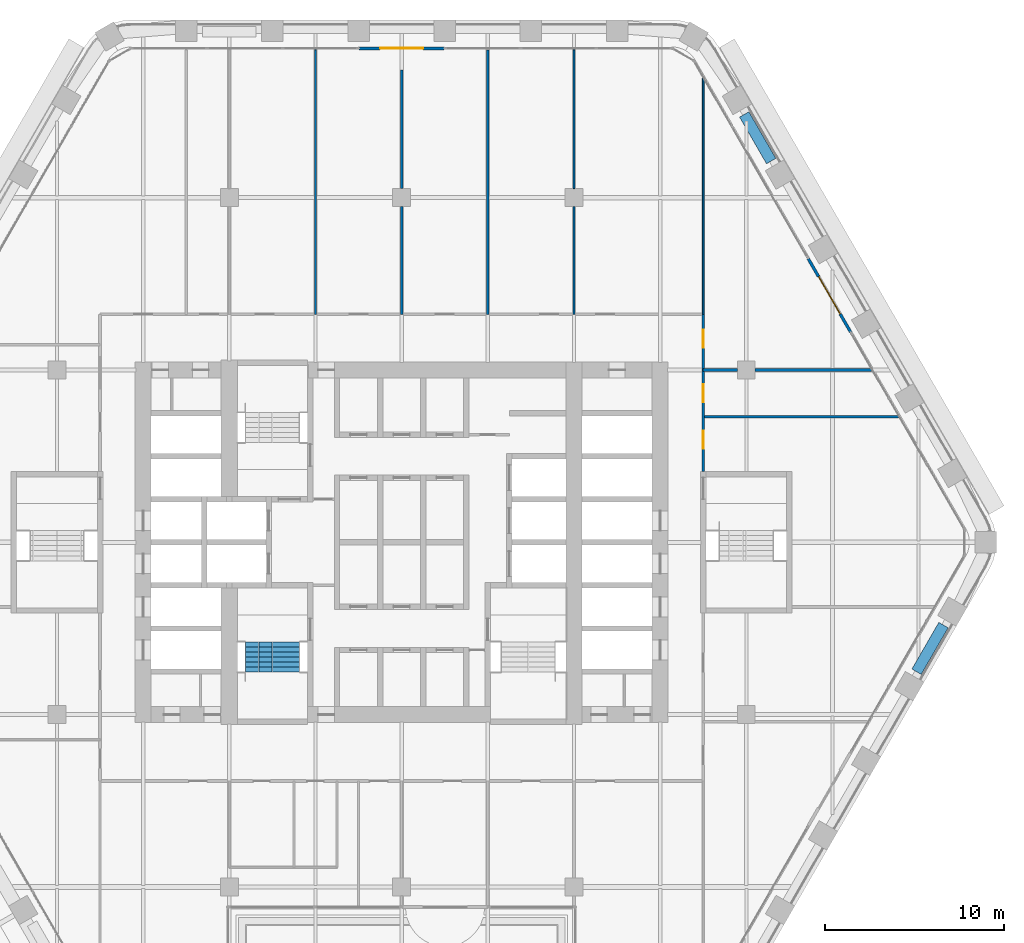
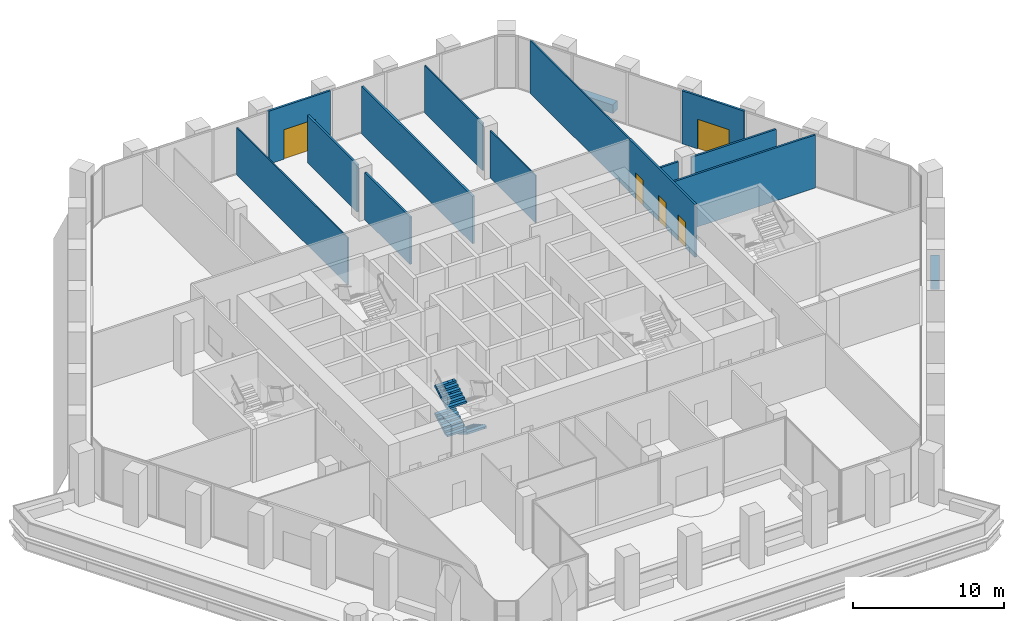
# One storey, part 20 of 27: 15 walls, 5 doors, 3 stair flights, 5 openings, 1 element without a shape of its own.
"""IFC4 building model written with IfcOpenShell, lengths in metres."""

from ifc_helpers import new_model, si_unit, direction, frame, frame_2d, origin, place, context, subcontext, project, spatial, polyline, rectangle, outline, extrude, material, layer, layer_set, type_object, element, fill, aggregate, save


model = new_model("IFC4")

# Units and contexts
model_context = context("Model", 3, precision=1e-05, world=origin(), true_north=direction((0.0, 1.0)))
body_context = subcontext(model_context, "Body", "Model", "MODEL_VIEW")
ifc_project = project(units=[si_unit("LENGTHUNIT", "METRE"), si_unit("AREAUNIT", "SQUARE_METRE"), si_unit("VOLUMEUNIT", "CUBIC_METRE"), si_unit("PLANEANGLEUNIT", "RADIAN"), si_unit("MASSUNIT", "GRAM", prefix="KILO")], contexts=[model_context])

# Site, building, storey
site_placement = place(None, origin())
site = spatial("IfcSite", under=ifc_project, at=site_placement, CompositionType="ELEMENT")
building_placement = place(site_placement, origin())
building = spatial("IfcBuilding", under=site, at=building_placement, Name="Kolab Exchange Tower", CompositionType="ELEMENT")
storey_placement = place(building_placement, frame((0.0, 0.0, 109.39990234375)))
storey = spatial("IfcBuildingStorey", under=building, at=storey_placement, Name="L21", CompositionType="ELEMENT", Elevation=109.39990234375)

# Wall, opening, door
ifc_material_1 = material(Name="Aluminium EN AW-6063 T6", Category="aluminium")
ifc_layer_1 = layer(ifc_material_1, 0.159912109375)
ifc_layer_set_1 = layer_set([ifc_layer_1], Name="Aluminium EN AW-6063 T6")
wall_type_1 = type_object("IfcWallType", Name="DOOR SURROUND WALL 160 ALUMINIUM FRAMED", PredefinedType="PARTITIONING", material=ifc_layer_set_1)
wall_1_placement = place(storey_placement, frame((-2.3701171875, 27.5185546875, 0.0), z_axis=(0.0, 0.0, 1.0), x_axis=(1.0, 0.0, 0.0)))
wall_1 = element("IfcWall", 1, at=wall_1_placement, inside=storey, type_object=wall_type_1, Name="Door surround wall", PredefinedType="PARTITIONING", context=body_context, shape_type="SweptSolid", body=[
    extrude(rectangle(XDim=4.740234375, YDim=0.159912109375, at=frame_2d((2.3701171875, 0.0))), origin(), (0.0, 0.0, 1.0), 4.300048828125),
])
opening_1_placement = place(wall_1_placement, frame((1.169921875, 0.0, 0.0)))
opening_1 = element("IfcOpeningElement", 2, at=opening_1_placement, cuts=wall_1, Name="Opening GD1-034", PredefinedType="OPENING", context=body_context, shape_type="SweptSolid", body=[
    extrude(rectangle(XDim=2.39990234375, YDim=2.39990234375, at=frame_2d((1.199951171875, 1.199951171875))), frame((0.0, 0.08984375, 0.0), z_axis=(0.0, -1.0, 0.0), x_axis=(1.0, 0.0, 0.0)), (0.0, 0.0, 1.0), 0.179931640625),
])
door_type_1 = type_object("IfcDoorType", Name="LOGGIA SLIDING GLASS DOOR 2400 X 2400", OperationType="DOUBLE_DOOR_SINGLE_SWING", PredefinedType="DOOR", material=ifc_material_1)
door_1_placement = place(opening_1_placement, origin())
door_1 = element("IfcDoor", 3, at=door_1_placement, inside=storey, type_object=door_type_1, Name="Loggia door", OperationType="DOUBLE_DOOR_SLIDING", OverallHeight=2.39990234375, OverallWidth=2.39990234375, PredefinedType="DOOR", context=body_context, shape_type="SweptSolid", body=[
    extrude(rectangle(XDim=2.39990234375, YDim=2.39990234375, at=frame_2d((1.199951171875, 1.199951171875))), frame((0.0, 0.02490234375, 0.0), z_axis=(0.0, -1.0, 0.0), x_axis=(1.0, 0.0, 0.0)), (0.0, 0.0, 1.0), 0.050048828125),
])
fill(opening_1, door_1)

wall_2_placement = place(storey_placement, frame((22.646728515625, 15.811767578125, 0.0), z_axis=(0.0, 0.0, 1.0), x_axis=(0.499978080042, -0.866038058908, 0.0)))
wall_2 = element("IfcWall", 4, at=wall_2_placement, inside=storey, type_object=wall_type_1, Name="Door surround wall", PredefinedType="PARTITIONING", context=body_context, shape_type="SweptSolid", body=[
    extrude(rectangle(XDim=4.739990234375, YDim=0.159912109375, at=frame_2d((2.3701171875, 0.0))), origin(), (0.0, 0.0, 1.0), 4.300048828125),
])
opening_2_placement = place(wall_2_placement, frame((1.169921875, 0.0, 0.0)))
opening_2 = element("IfcOpeningElement", 5, at=opening_2_placement, cuts=wall_2, Name="Opening GD1-035", PredefinedType="OPENING", context=body_context, shape_type="SweptSolid", body=[
    extrude(rectangle(XDim=2.39990234375, YDim=2.39990234375, at=frame_2d((1.199951171875, 1.199951171875))), frame((0.0, 0.08984375, 0.0), z_axis=(0.0, -1.0, 0.0), x_axis=(1.0, 0.0, 0.0)), (0.0, 0.0, 1.0), 0.179931640625),
])
door_2_placement = place(opening_2_placement, origin())
door_2 = element("IfcDoor", 6, at=door_2_placement, inside=storey, type_object=door_type_1, Name="Loggia door", OperationType="DOUBLE_DOOR_SLIDING", OverallHeight=2.39990234375, OverallWidth=2.39990234375, PredefinedType="DOOR", context=body_context, shape_type="SweptSolid", body=[
    extrude(rectangle(XDim=2.39990234375, YDim=2.39990234375, at=frame_2d((1.199951171875, 1.199951171875))), frame((0.0, 0.02490234375, 0.0), z_axis=(0.0, -1.0, 0.0), x_axis=(1.0, 0.0, 0.0)), (0.0, 0.0, 1.0), 0.050048828125),
])
fill(opening_2, door_2)

# Walls
ifc_material_2 = material(Name="Gypsum board", Category="gypsum")
ifc_layer_2 = layer(ifc_material_2, 0.10009765625)
ifc_layer_set_2 = layer_set([ifc_layer_2], Name="Gypsum board")
wall_type_2 = type_object("IfcWallType", Name="PARTITION 100", PredefinedType="PARTITIONING", material=ifc_layer_set_2)
wall_3_placement = place(storey_placement, frame((16.800048828125, 12.699951171875, 0.0), z_axis=(0.0, 0.0, 1.0), x_axis=(0.0, 1.0, 0.0)))
element("IfcWall", 7, at=wall_3_placement, inside=storey, type_object=wall_type_2, Name="Partition 001", PredefinedType="PARTITIONING", context=body_context, shape_type="SweptSolid", body=[
    extrude(rectangle(XDim=13.158447265625, YDim=0.10009765625, at=frame_2d((6.5791015625, 0.0))), origin(), (0.0, 0.0, 1.0), 4.300048828125),
])
wall_4_placement = place(storey_placement, frame((9.60009765625, 12.699951171875, 0.0), z_axis=(0.0, 0.0, 1.0), x_axis=(0.0, 1.0, 0.0)))
element("IfcWall", 8, at=wall_4_placement, inside=storey, type_object=wall_type_2, Name="Partition 005", PredefinedType="PARTITIONING", context=body_context, shape_type="SweptSolid", body=[
    extrude(rectangle(XDim=6.0, YDim=0.10009765625, at=frame_2d((3.0, 0.0))), origin(), (0.0, 0.0, 1.0), 3.843017578125),
])
wall_5_placement = place(storey_placement, frame((9.60009765625, 19.699951171875, 0.0), z_axis=(0.0, 0.0, 1.0), x_axis=(0.0, 1.0, 0.0)))
element("IfcWall", 9, at=wall_5_placement, inside=storey, type_object=wall_type_2, Name="Partition 006", PredefinedType="PARTITIONING", context=body_context, shape_type="SweptSolid", body=[
    extrude(rectangle(XDim=7.728515625, YDim=0.10009765625, at=frame_2d((3.8642578125, 0.0))), origin(), (0.0, 0.0, 1.0), 3.843017578125),
])
wall_6_placement = place(storey_placement, frame((-4.800048828125, 12.699951171875, 0.0), z_axis=(0.0, 0.0, 1.0), x_axis=(0.0, 1.0, 0.0)))
element("IfcWall", 10, at=wall_6_placement, inside=storey, type_object=wall_type_2, Name="Partition 017", PredefinedType="PARTITIONING", context=body_context, shape_type="SweptSolid", body=[
    extrude(rectangle(XDim=14.728515625, YDim=0.10009765625, at=frame_2d((7.3642578125, 0.0))), origin(), (0.0, 0.0, 1.0), 3.843017578125),
])

# Wall, openings, doors
ifc_layer_3 = layer(ifc_material_2, 0.14990234375)
ifc_layer_set_3 = layer_set([ifc_layer_3], Name="Gypsum board")
wall_type_3 = type_object("IfcWallType", Name="PARTITION 150 FIRE-RATED", PredefinedType="PARTITIONING", material=ifc_layer_set_3)
wall_7_placement = place(storey_placement, frame((16.800048828125, 3.949951171875, 0.0), z_axis=(0.0, 0.0, 1.0), x_axis=(0.0, 1.0, 0.0)))
wall_7 = element("IfcWall", 11, at=wall_7_placement, inside=storey, type_object=wall_type_3, Name="Partition 003", PredefinedType="PARTITIONING", context=body_context, shape_type="SweptSolid", body=[
    extrude(rectangle(XDim=8.75, YDim=0.14990234375, at=frame_2d((4.375, 0.0))), origin(), (0.0, 0.0, 1.0), 4.300048828125),
])
opening_3_placement = place(wall_7_placement, frame((1.27490234375, 0.0, 0.0)))
opening_3 = element("IfcOpeningElement", 12, at=opening_3_placement, cuts=wall_7, Name="Opening D1-294", PredefinedType="OPENING", context=body_context, shape_type="SweptSolid", body=[
    extrude(rectangle(XDim=1.0, YDim=2.10009765625, at=frame_2d((0.5, 1.050048828125))), frame((0.0, 0.0849609375, 0.0), z_axis=(0.0, -1.0, 0.0), x_axis=(1.0, 0.0, 0.0)), (0.0, 0.0, 1.0), 0.169921875),
])
opening_4_placement = place(wall_7_placement, frame((3.85009765625, 0.0, 0.0)))
opening_4 = element("IfcOpeningElement", 13, at=opening_4_placement, cuts=wall_7, Name="Opening D1-295", PredefinedType="OPENING", context=body_context, shape_type="SweptSolid", body=[
    extrude(rectangle(XDim=1.0, YDim=2.10009765625, at=frame_2d((0.5, 1.050048828125))), frame((0.0, 0.0849609375, 0.0), z_axis=(0.0, -1.0, 0.0), x_axis=(1.0, 0.0, 0.0)), (0.0, 0.0, 1.0), 0.169921875),
])
opening_5_placement = place(wall_7_placement, frame((6.89990234375, 0.0, 0.0)))
opening_5 = element("IfcOpeningElement", 14, at=opening_5_placement, cuts=wall_7, Name="Opening D1-296", PredefinedType="OPENING", context=body_context, shape_type="SweptSolid", body=[
    extrude(rectangle(XDim=1.0, YDim=2.10009765625, at=frame_2d((0.5, 1.050048828125))), frame((0.0, 0.0849609375, 0.0), z_axis=(0.0, -1.0, 0.0), x_axis=(1.0, 0.0, 0.0)), (0.0, 0.0, 1.0), 0.169921875),
])
ifc_material_3 = material(Name="Steel S235", Category="steel")
door_type_2 = type_object("IfcDoorType", Name="FLUSH DOOR 1000 FD60", OperationType="SINGLE_SWING_LEFT", PredefinedType="DOOR", material=ifc_material_3)
door_3_placement = place(opening_3_placement, frame((1.0, 0.0, 0.0), z_axis=(0.0, 0.0, 1.0), x_axis=(-1.0, 0.0, 0.0)))
door_3 = element("IfcDoor", 15, at=door_3_placement, inside=storey, type_object=door_type_2, Name="Door L21-063", OperationType="SINGLE_SWING_RIGHT", OverallHeight=2.10009765625, OverallWidth=1.0, PredefinedType="DOOR", context=body_context, shape_type="SweptSolid", body=[
    extrude(rectangle(XDim=1.0, YDim=2.10009765625, at=frame_2d((0.5, 1.050048828125))), frame((0.0, 0.02490234375, 0.0), z_axis=(0.0, -1.0, 0.0), x_axis=(1.0, 0.0, 0.0)), (0.0, 0.0, 1.0), 0.050048828125),
])
fill(opening_3, door_3)
door_4_placement = place(opening_4_placement, frame((1.0, 0.0, 0.0), z_axis=(0.0, 0.0, 1.0), x_axis=(-1.0, 0.0, 0.0)))
door_4 = element("IfcDoor", 16, at=door_4_placement, inside=storey, type_object=door_type_2, Name="Door L21-064", OperationType="SINGLE_SWING_RIGHT", OverallHeight=2.10009765625, OverallWidth=1.0, PredefinedType="DOOR", context=body_context, shape_type="SweptSolid", body=[
    extrude(rectangle(XDim=1.0, YDim=2.10009765625, at=frame_2d((0.5, 1.050048828125))), frame((0.0, 0.02490234375, 0.0), z_axis=(0.0, -1.0, 0.0), x_axis=(1.0, 0.0, 0.0)), (0.0, 0.0, 1.0), 0.050048828125),
])
fill(opening_4, door_4)
door_5_placement = place(opening_5_placement, frame((1.0, 0.0, 0.0), z_axis=(0.0, 0.0, 1.0), x_axis=(-1.0, 0.0, 0.0)))
door_5 = element("IfcDoor", 17, at=door_5_placement, inside=storey, type_object=door_type_2, Name="Door L21-065", OperationType="SINGLE_SWING_LEFT", OverallHeight=2.10009765625, OverallWidth=1.0, PredefinedType="DOOR", context=body_context, shape_type="SweptSolid", body=[
    extrude(rectangle(XDim=1.0, YDim=2.10009765625, at=frame_2d((0.5, 1.050048828125))), frame((0.0, 0.02490234375, 0.0), z_axis=(0.0, -1.0, 0.0), x_axis=(1.0, 0.0, 0.0)), (0.0, 0.0, 1.0), 0.050048828125),
])
fill(opening_5, door_5)

# Walls
wall_8_placement = place(storey_placement, frame((4.800048828125, 12.699951171875, 0.0), z_axis=(0.0, 0.0, 1.0), x_axis=(0.0, 1.0, 0.0)))
element("IfcWall", 18, at=wall_8_placement, inside=storey, type_object=wall_type_3, Name="Partition 010", PredefinedType="PARTITIONING", context=body_context, shape_type="SweptSolid", body=[
    extrude(rectangle(XDim=14.728515625, YDim=0.14990234375, at=frame_2d((7.3642578125, 0.0))), origin(), (0.0, 0.0, 1.0), 3.843017578125),
])
wall_9_placement = place(storey_placement, frame((0.0, 12.699951171875, 0.0), z_axis=(0.0, 0.0, 1.0), x_axis=(0.0, 1.0, 0.0)))
element("IfcWall", 19, at=wall_9_placement, inside=storey, type_object=wall_type_3, Name="Partition 013", PredefinedType="PARTITIONING", context=body_context, shape_type="SweptSolid", body=[
    extrude(rectangle(XDim=6.0, YDim=0.14990234375, at=frame_2d((3.0, 0.0))), origin(), (0.0, 0.0, 1.0), 3.843017578125),
])
wall_10_placement = place(storey_placement, frame((0.0, 19.699951171875, 0.0), z_axis=(0.0, 0.0, 1.0), x_axis=(0.0, 1.0, 0.0)))
element("IfcWall", 20, at=wall_10_placement, inside=storey, type_object=wall_type_3, Name="Partition 014", PredefinedType="PARTITIONING", context=body_context, shape_type="SweptSolid", body=[
    extrude(rectangle(XDim=6.61865234375, YDim=0.14990234375, at=frame_2d((3.309326171875, 0.0))), origin(), (0.0, 0.0, 1.0), 3.843017578125),
])
wall_11_placement = place(storey_placement, frame((16.800048828125, 7.0, 0.0), z_axis=(0.0, 0.0, 1.0), x_axis=(1.0, 0.0, 0.0)))
element("IfcWall", 21, at=wall_11_placement, inside=storey, type_object=wall_type_3, Name="Partition 037", PredefinedType="PARTITIONING", context=body_context, shape_type="SweptSolid", body=[
    extrude(rectangle(XDim=10.887939453125, YDim=0.14990234375, at=frame_2d((5.44384765625, 0.0))), origin(), (0.0, 0.0, 1.0), 4.300048828125),
])
wall_12_placement = place(storey_placement, frame((16.800048828125, 9.60009765625, 0.0), z_axis=(0.0, 0.0, 1.0), x_axis=(1.0, 0.0, 0.0)))
element("IfcWall", 22, at=wall_12_placement, inside=storey, type_object=wall_type_3, Name="Partition 038", PredefinedType="PARTITIONING", context=body_context, shape_type="SweptSolid", body=[
    extrude(rectangle(XDim=1.89990234375, YDim=0.14990234375, at=frame_2d((0.949951171875, 0.0))), origin(), (0.0, 0.0, 1.0), 3.692138671875),
])
wall_13_placement = place(storey_placement, frame((19.699951171875, 9.60009765625, 0.0), z_axis=(0.0, 0.0, 1.0), x_axis=(1.0, 0.0, 0.0)))
element("IfcWall", 23, at=wall_13_placement, inside=storey, type_object=wall_type_3, Name="Partition 039", PredefinedType="PARTITIONING", context=body_context, shape_type="SweptSolid", body=[
    extrude(rectangle(XDim=6.48681640625, YDim=0.14990234375, at=frame_2d((3.243408203125, 0.0))), origin(), (0.0, 0.0, 1.0), 3.692138671875),
])
ifc_material_4 = material(Name="Granite facing", Category="masonry")
ifc_layer_4 = layer(ifc_material_4, 0.0400390625)
ifc_material_5 = material(Name="Concrete C40/50 precast", Category="concrete")
ifc_layer_5 = layer(ifc_material_5, 0.56005859375)
ifc_layer_set_4 = layer_set([ifc_layer_4, ifc_layer_5], Name="Concrete C40/50 precast")
wall_type_4 = type_object("IfcWallType", Name="PLANTER BOX 600 X 700 SOIL DEPTH 550", PredefinedType="USERDEFINED", material=ifc_layer_set_4)
for number, where, z_axis, x_axis, name in (
    (24, (19.087158203125, 23.837158203125, 0.0), (0.0, 0.0, 1.0), (0.499990139034, -0.866031096941, 0.0), "Planter"),
    (25, (30.18701171875, -4.611328125, 0.0), (0.0, 0.0, 1.0), (-0.499990139034, -0.866031096941, 0.0), "Planter"),
):
    element("IfcWall", number, at=place(storey_placement, frame(where, z_axis=z_axis, x_axis=x_axis)), inside=storey, type_object=wall_type_4, Name=name, ObjectType="PLANTER", PredefinedType="USERDEFINED", context=body_context, shape_type="SweptSolid", body=[
        extrude(rectangle(XDim=3.0, YDim=0.60009765625, at=frame_2d((1.5, 0.0))), origin(), (0.0, 0.0, 1.0), 0.7001953125),
    ])

# Stair, stair flights
ifc_material_6 = material(Name="Concrete C50/60", Category="concrete")
stair_type = type_object("IfcStairType", Name="STAIR ST3 RISER 160.7", PredefinedType="DOUBLE_RETURN_STAIR", material=ifc_material_6)
stair_placement = place(storey_placement, origin())
stair = element("IfcStair", 26, at=stair_placement, inside=storey, type_object=stair_type, Name="Stair 3", PredefinedType="DOUBLE_RETURN_STAIR")
stair_flight_type = type_object("IfcStairFlightType", Name="STAIR FLIGHT 1500 RISER 160.7", PredefinedType="STRAIGHT", material=ifc_material_6)
stair_flight_1_placement = place(storey_placement, frame((-6.43994140625, -5.550048828125, 0.0), z_axis=(0.0, 0.0, 1.0), x_axis=(0.0, -1.0, 0.0)))
stair_flight_1 = element("IfcStairFlight", 27, at=stair_flight_1_placement, type_object=stair_flight_type, Name="ST3 flight 1", NumberOfRisers=7, NumberOfTreads=6, PredefinedType="STRAIGHT", RiserHeight=0.160714286, TreadLength=0.28, context=body_context, shape_type="SweptSolid", body=[
    extrude(outline(polyline([(0.0, 0.0), (0.0, 0.16064453125), (0.280029296875, 0.16064453125), (0.280029296875, 0.321533203125), (0.56005859375, 0.321533203125), (0.56005859375, 0.482177734375), (0.840087890625, 0.482177734375), (0.840087890625, 0.642822265625), (1.1201171875, 0.642822265625), (1.1201171875, 0.803466796875), (1.39990234375, 0.803466796875), (1.39990234375, 0.96435546875), (1.679931640625, 0.96435546875), (1.679931640625, 1.125), (1.679931640625, 0.79150390625), (0.301025390625, 0.0), (0.0, 0.0)])), frame((0.0, 0.75, 0.0), z_axis=(0.0, -1.0, 0.0), x_axis=(1.0, 0.0, 0.0)), (0.0, 0.0, 1.0), 0.185791015625),
    extrude(outline(polyline([(0.0, 0.0), (0.0, 0.16064453125), (0.280029296875, 0.16064453125), (0.280029296875, 0.321533203125), (0.56005859375, 0.321533203125), (0.56005859375, 0.482177734375), (0.840087890625, 0.482177734375), (0.840087890625, 0.642822265625), (1.1201171875, 0.642822265625), (1.1201171875, 0.803466796875), (1.39990234375, 0.803466796875), (1.39990234375, 0.96435546875), (1.679931640625, 0.96435546875), (1.679931640625, 1.125), (1.679931640625, 0.79150390625), (0.301025390625, 0.0), (0.0, 0.0)])), frame((0.0, 0.562255859375, 0.0), z_axis=(0.0, -1.0, 0.0), x_axis=(1.0, 0.0, 0.0)), (0.0, 0.0, 1.0), 0.185791015625),
    extrude(outline(polyline([(0.0, 0.0), (0.0, 0.16064453125), (0.280029296875, 0.16064453125), (0.280029296875, 0.321533203125), (0.56005859375, 0.321533203125), (0.56005859375, 0.482177734375), (0.840087890625, 0.482177734375), (0.840087890625, 0.642822265625), (1.1201171875, 0.642822265625), (1.1201171875, 0.803466796875), (1.39990234375, 0.803466796875), (1.39990234375, 0.96435546875), (1.679931640625, 0.96435546875), (1.679931640625, 1.125), (1.679931640625, 0.79150390625), (0.301025390625, 0.0), (0.0, 0.0)])), frame((0.0, 0.37451171875, 0.0), z_axis=(0.0, -1.0, 0.0), x_axis=(1.0, 0.0, 0.0)), (0.0, 0.0, 1.0), 0.185791015625),
    extrude(outline(polyline([(0.0, 0.0), (0.0, 0.16064453125), (0.280029296875, 0.16064453125), (0.280029296875, 0.321533203125), (0.56005859375, 0.321533203125), (0.56005859375, 0.482177734375), (0.840087890625, 0.482177734375), (0.840087890625, 0.642822265625), (1.1201171875, 0.642822265625), (1.1201171875, 0.803466796875), (1.39990234375, 0.803466796875), (1.39990234375, 0.96435546875), (1.679931640625, 0.96435546875), (1.679931640625, 1.125), (1.679931640625, 0.79150390625), (0.301025390625, 0.0), (0.0, 0.0)])), frame((0.0, 0.186767578125, 0.0), z_axis=(0.0, -1.0, 0.0), x_axis=(1.0, 0.0, 0.0)), (0.0, 0.0, 1.0), 0.185791015625),
    extrude(outline(polyline([(0.0, 0.0), (0.0, 0.16064453125), (0.280029296875, 0.16064453125), (0.280029296875, 0.321533203125), (0.56005859375, 0.321533203125), (0.56005859375, 0.482177734375), (0.840087890625, 0.482177734375), (0.840087890625, 0.642822265625), (1.1201171875, 0.642822265625), (1.1201171875, 0.803466796875), (1.39990234375, 0.803466796875), (1.39990234375, 0.96435546875), (1.679931640625, 0.96435546875), (1.679931640625, 1.125), (1.679931640625, 0.79150390625), (0.301025390625, 0.0), (0.0, 0.0)])), frame((0.0, -0.0009765625, 0.0), z_axis=(0.0, -1.0, 0.0), x_axis=(1.0, 0.0, 0.0)), (0.0, 0.0, 1.0), 0.185791015625),
    extrude(outline(polyline([(0.0, 0.0), (0.0, 0.16064453125), (0.280029296875, 0.16064453125), (0.280029296875, 0.321533203125), (0.56005859375, 0.321533203125), (0.56005859375, 0.482177734375), (0.840087890625, 0.482177734375), (0.840087890625, 0.642822265625), (1.1201171875, 0.642822265625), (1.1201171875, 0.803466796875), (1.39990234375, 0.803466796875), (1.39990234375, 0.96435546875), (1.679931640625, 0.96435546875), (1.679931640625, 1.125), (1.679931640625, 0.79150390625), (0.301025390625, 0.0), (0.0, 0.0)])), frame((0.0, -0.188720703125, 0.0), z_axis=(0.0, -1.0, 0.0), x_axis=(1.0, 0.0, 0.0)), (0.0, 0.0, 1.0), 0.185791015625),
    extrude(outline(polyline([(0.0, 0.0), (0.0, 0.16064453125), (0.280029296875, 0.16064453125), (0.280029296875, 0.321533203125), (0.56005859375, 0.321533203125), (0.56005859375, 0.482177734375), (0.840087890625, 0.482177734375), (0.840087890625, 0.642822265625), (1.1201171875, 0.642822265625), (1.1201171875, 0.803466796875), (1.39990234375, 0.803466796875), (1.39990234375, 0.96435546875), (1.679931640625, 0.96435546875), (1.679931640625, 1.125), (1.679931640625, 0.79150390625), (0.301025390625, 0.0), (0.0, 0.0)])), frame((0.0, -0.37646484375, 0.0), z_axis=(0.0, -1.0, 0.0), x_axis=(1.0, 0.0, 0.0)), (0.0, 0.0, 1.0), 0.185791015625),
    extrude(outline(polyline([(0.0, 0.0), (0.0, 0.16064453125), (0.280029296875, 0.16064453125), (0.280029296875, 0.321533203125), (0.56005859375, 0.321533203125), (0.56005859375, 0.482177734375), (0.840087890625, 0.482177734375), (0.840087890625, 0.642822265625), (1.1201171875, 0.642822265625), (1.1201171875, 0.803466796875), (1.39990234375, 0.803466796875), (1.39990234375, 0.96435546875), (1.679931640625, 0.96435546875), (1.679931640625, 1.125), (1.679931640625, 0.79150390625), (0.301025390625, 0.0), (0.0, 0.0)])), frame((0.0, -0.564208984375, 0.0), z_axis=(0.0, -1.0, 0.0), x_axis=(1.0, 0.0, 0.0)), (0.0, 0.0, 1.0), 0.185791015625),
])
stair_flight_2_placement = place(storey_placement, frame((-7.9599609375, -7.22998046875, 1.125), z_axis=(0.0, 0.0, 1.0), x_axis=(0.0, 1.0, 0.0)))
stair_flight_2 = element("IfcStairFlight", 28, at=stair_flight_2_placement, type_object=stair_flight_type, Name="ST3 flight 2", NumberOfRisers=7, NumberOfTreads=6, PredefinedType="STRAIGHT", RiserHeight=0.160714286, TreadLength=0.28, context=body_context, shape_type="SweptSolid", body=[
    extrude(outline(polyline([(0.0, 0.0), (0.0, 0.16064453125), (0.280029296875, 0.16064453125), (0.280029296875, 0.321533203125), (0.56005859375, 0.321533203125), (0.56005859375, 0.482177734375), (0.840087890625, 0.482177734375), (0.840087890625, 0.642822265625), (1.1201171875, 0.642822265625), (1.1201171875, 0.803466796875), (1.39990234375, 0.803466796875), (1.39990234375, 0.96435546875), (1.679931640625, 0.96435546875), (1.679931640625, 1.125), (1.679931640625, 0.79150390625), (0.301025390625, 0.0), (0.0, 0.0)])), frame((0.0, 0.75, 0.0), z_axis=(0.0, -1.0, 0.0), x_axis=(1.0, 0.0, 0.0)), (0.0, 0.0, 1.0), 0.185791015625),
    extrude(outline(polyline([(0.0, 0.0), (0.0, 0.16064453125), (0.280029296875, 0.16064453125), (0.280029296875, 0.321533203125), (0.56005859375, 0.321533203125), (0.56005859375, 0.482177734375), (0.840087890625, 0.482177734375), (0.840087890625, 0.642822265625), (1.1201171875, 0.642822265625), (1.1201171875, 0.803466796875), (1.39990234375, 0.803466796875), (1.39990234375, 0.96435546875), (1.679931640625, 0.96435546875), (1.679931640625, 1.125), (1.679931640625, 0.79150390625), (0.301025390625, 0.0), (0.0, 0.0)])), frame((0.0, 0.562255859375, 0.0), z_axis=(0.0, -1.0, 0.0), x_axis=(1.0, 0.0, 0.0)), (0.0, 0.0, 1.0), 0.185791015625),
    extrude(outline(polyline([(0.0, 0.0), (0.0, 0.16064453125), (0.280029296875, 0.16064453125), (0.280029296875, 0.321533203125), (0.56005859375, 0.321533203125), (0.56005859375, 0.482177734375), (0.840087890625, 0.482177734375), (0.840087890625, 0.642822265625), (1.1201171875, 0.642822265625), (1.1201171875, 0.803466796875), (1.39990234375, 0.803466796875), (1.39990234375, 0.96435546875), (1.679931640625, 0.96435546875), (1.679931640625, 1.125), (1.679931640625, 0.79150390625), (0.301025390625, 0.0), (0.0, 0.0)])), frame((0.0, 0.37451171875, 0.0), z_axis=(0.0, -1.0, 0.0), x_axis=(1.0, 0.0, 0.0)), (0.0, 0.0, 1.0), 0.185791015625),
    extrude(outline(polyline([(0.0, 0.0), (0.0, 0.16064453125), (0.280029296875, 0.16064453125), (0.280029296875, 0.321533203125), (0.56005859375, 0.321533203125), (0.56005859375, 0.482177734375), (0.840087890625, 0.482177734375), (0.840087890625, 0.642822265625), (1.1201171875, 0.642822265625), (1.1201171875, 0.803466796875), (1.39990234375, 0.803466796875), (1.39990234375, 0.96435546875), (1.679931640625, 0.96435546875), (1.679931640625, 1.125), (1.679931640625, 0.79150390625), (0.301025390625, 0.0), (0.0, 0.0)])), frame((0.0, 0.186767578125, 0.0), z_axis=(0.0, -1.0, 0.0), x_axis=(1.0, 0.0, 0.0)), (0.0, 0.0, 1.0), 0.185791015625),
    extrude(outline(polyline([(0.0, 0.0), (0.0, 0.16064453125), (0.280029296875, 0.16064453125), (0.280029296875, 0.321533203125), (0.56005859375, 0.321533203125), (0.56005859375, 0.482177734375), (0.840087890625, 0.482177734375), (0.840087890625, 0.642822265625), (1.1201171875, 0.642822265625), (1.1201171875, 0.803466796875), (1.39990234375, 0.803466796875), (1.39990234375, 0.96435546875), (1.679931640625, 0.96435546875), (1.679931640625, 1.125), (1.679931640625, 0.79150390625), (0.301025390625, 0.0), (0.0, 0.0)])), frame((0.0, -0.0009765625, 0.0), z_axis=(0.0, -1.0, 0.0), x_axis=(1.0, 0.0, 0.0)), (0.0, 0.0, 1.0), 0.185791015625),
    extrude(outline(polyline([(0.0, 0.0), (0.0, 0.16064453125), (0.280029296875, 0.16064453125), (0.280029296875, 0.321533203125), (0.56005859375, 0.321533203125), (0.56005859375, 0.482177734375), (0.840087890625, 0.482177734375), (0.840087890625, 0.642822265625), (1.1201171875, 0.642822265625), (1.1201171875, 0.803466796875), (1.39990234375, 0.803466796875), (1.39990234375, 0.96435546875), (1.679931640625, 0.96435546875), (1.679931640625, 1.125), (1.679931640625, 0.79150390625), (0.301025390625, 0.0), (0.0, 0.0)])), frame((0.0, -0.188720703125, 0.0), z_axis=(0.0, -1.0, 0.0), x_axis=(1.0, 0.0, 0.0)), (0.0, 0.0, 1.0), 0.185791015625),
    extrude(outline(polyline([(0.0, 0.0), (0.0, 0.16064453125), (0.280029296875, 0.16064453125), (0.280029296875, 0.321533203125), (0.56005859375, 0.321533203125), (0.56005859375, 0.482177734375), (0.840087890625, 0.482177734375), (0.840087890625, 0.642822265625), (1.1201171875, 0.642822265625), (1.1201171875, 0.803466796875), (1.39990234375, 0.803466796875), (1.39990234375, 0.96435546875), (1.679931640625, 0.96435546875), (1.679931640625, 1.125), (1.679931640625, 0.79150390625), (0.301025390625, 0.0), (0.0, 0.0)])), frame((0.0, -0.37646484375, 0.0), z_axis=(0.0, -1.0, 0.0), x_axis=(1.0, 0.0, 0.0)), (0.0, 0.0, 1.0), 0.185791015625),
    extrude(outline(polyline([(0.0, 0.0), (0.0, 0.16064453125), (0.280029296875, 0.16064453125), (0.280029296875, 0.321533203125), (0.56005859375, 0.321533203125), (0.56005859375, 0.482177734375), (0.840087890625, 0.482177734375), (0.840087890625, 0.642822265625), (1.1201171875, 0.642822265625), (1.1201171875, 0.803466796875), (1.39990234375, 0.803466796875), (1.39990234375, 0.96435546875), (1.679931640625, 0.96435546875), (1.679931640625, 1.125), (1.679931640625, 0.79150390625), (0.301025390625, 0.0), (0.0, 0.0)])), frame((0.0, -0.564208984375, 0.0), z_axis=(0.0, -1.0, 0.0), x_axis=(1.0, 0.0, 0.0)), (0.0, 0.0, 1.0), 0.185791015625),
])
stair_flight_3_placement = place(storey_placement, frame((-7.9599609375, -7.22998046875, 3.375), z_axis=(0.0, 0.0, 1.0), x_axis=(0.0, 1.0, 0.0)))
stair_flight_3 = element("IfcStairFlight", 29, at=stair_flight_3_placement, type_object=stair_flight_type, Name="ST3 flight 4", NumberOfRisers=7, NumberOfTreads=6, PredefinedType="STRAIGHT", RiserHeight=0.160714286, TreadLength=0.28, context=body_context, shape_type="SweptSolid", body=[
    extrude(outline(polyline([(0.0, 0.0), (0.0, 0.16064453125), (0.280029296875, 0.16064453125), (0.280029296875, 0.321533203125), (0.56005859375, 0.321533203125), (0.56005859375, 0.482177734375), (0.840087890625, 0.482177734375), (0.840087890625, 0.642822265625), (1.1201171875, 0.642822265625), (1.1201171875, 0.803466796875), (1.39990234375, 0.803466796875), (1.39990234375, 0.96435546875), (1.679931640625, 0.96435546875), (1.679931640625, 1.125), (1.679931640625, 0.79150390625), (0.301025390625, 0.0), (0.0, 0.0)])), frame((0.0, 0.75, 0.0), z_axis=(0.0, -1.0, 0.0), x_axis=(1.0, 0.0, 0.0)), (0.0, 0.0, 1.0), 0.185791015625),
    extrude(outline(polyline([(0.0, 0.0), (0.0, 0.16064453125), (0.280029296875, 0.16064453125), (0.280029296875, 0.321533203125), (0.56005859375, 0.321533203125), (0.56005859375, 0.482177734375), (0.840087890625, 0.482177734375), (0.840087890625, 0.642822265625), (1.1201171875, 0.642822265625), (1.1201171875, 0.803466796875), (1.39990234375, 0.803466796875), (1.39990234375, 0.96435546875), (1.679931640625, 0.96435546875), (1.679931640625, 1.125), (1.679931640625, 0.79150390625), (0.301025390625, 0.0), (0.0, 0.0)])), frame((0.0, 0.562255859375, 0.0), z_axis=(0.0, -1.0, 0.0), x_axis=(1.0, 0.0, 0.0)), (0.0, 0.0, 1.0), 0.185791015625),
    extrude(outline(polyline([(0.0, 0.0), (0.0, 0.16064453125), (0.280029296875, 0.16064453125), (0.280029296875, 0.321533203125), (0.56005859375, 0.321533203125), (0.56005859375, 0.482177734375), (0.840087890625, 0.482177734375), (0.840087890625, 0.642822265625), (1.1201171875, 0.642822265625), (1.1201171875, 0.803466796875), (1.39990234375, 0.803466796875), (1.39990234375, 0.96435546875), (1.679931640625, 0.96435546875), (1.679931640625, 1.125), (1.679931640625, 0.79150390625), (0.301025390625, 0.0), (0.0, 0.0)])), frame((0.0, 0.37451171875, 0.0), z_axis=(0.0, -1.0, 0.0), x_axis=(1.0, 0.0, 0.0)), (0.0, 0.0, 1.0), 0.185791015625),
    extrude(outline(polyline([(0.0, 0.0), (0.0, 0.16064453125), (0.280029296875, 0.16064453125), (0.280029296875, 0.321533203125), (0.56005859375, 0.321533203125), (0.56005859375, 0.482177734375), (0.840087890625, 0.482177734375), (0.840087890625, 0.642822265625), (1.1201171875, 0.642822265625), (1.1201171875, 0.803466796875), (1.39990234375, 0.803466796875), (1.39990234375, 0.96435546875), (1.679931640625, 0.96435546875), (1.679931640625, 1.125), (1.679931640625, 0.79150390625), (0.301025390625, 0.0), (0.0, 0.0)])), frame((0.0, 0.186767578125, 0.0), z_axis=(0.0, -1.0, 0.0), x_axis=(1.0, 0.0, 0.0)), (0.0, 0.0, 1.0), 0.185791015625),
    extrude(outline(polyline([(0.0, 0.0), (0.0, 0.16064453125), (0.280029296875, 0.16064453125), (0.280029296875, 0.321533203125), (0.56005859375, 0.321533203125), (0.56005859375, 0.482177734375), (0.840087890625, 0.482177734375), (0.840087890625, 0.642822265625), (1.1201171875, 0.642822265625), (1.1201171875, 0.803466796875), (1.39990234375, 0.803466796875), (1.39990234375, 0.96435546875), (1.679931640625, 0.96435546875), (1.679931640625, 1.125), (1.679931640625, 0.79150390625), (0.301025390625, 0.0), (0.0, 0.0)])), frame((0.0, -0.0009765625, 0.0), z_axis=(0.0, -1.0, 0.0), x_axis=(1.0, 0.0, 0.0)), (0.0, 0.0, 1.0), 0.185791015625),
    extrude(outline(polyline([(0.0, 0.0), (0.0, 0.16064453125), (0.280029296875, 0.16064453125), (0.280029296875, 0.321533203125), (0.56005859375, 0.321533203125), (0.56005859375, 0.482177734375), (0.840087890625, 0.482177734375), (0.840087890625, 0.642822265625), (1.1201171875, 0.642822265625), (1.1201171875, 0.803466796875), (1.39990234375, 0.803466796875), (1.39990234375, 0.96435546875), (1.679931640625, 0.96435546875), (1.679931640625, 1.125), (1.679931640625, 0.79150390625), (0.301025390625, 0.0), (0.0, 0.0)])), frame((0.0, -0.188720703125, 0.0), z_axis=(0.0, -1.0, 0.0), x_axis=(1.0, 0.0, 0.0)), (0.0, 0.0, 1.0), 0.185791015625),
    extrude(outline(polyline([(0.0, 0.0), (0.0, 0.16064453125), (0.280029296875, 0.16064453125), (0.280029296875, 0.321533203125), (0.56005859375, 0.321533203125), (0.56005859375, 0.482177734375), (0.840087890625, 0.482177734375), (0.840087890625, 0.642822265625), (1.1201171875, 0.642822265625), (1.1201171875, 0.803466796875), (1.39990234375, 0.803466796875), (1.39990234375, 0.96435546875), (1.679931640625, 0.96435546875), (1.679931640625, 1.125), (1.679931640625, 0.79150390625), (0.301025390625, 0.0), (0.0, 0.0)])), frame((0.0, -0.37646484375, 0.0), z_axis=(0.0, -1.0, 0.0), x_axis=(1.0, 0.0, 0.0)), (0.0, 0.0, 1.0), 0.185791015625),
    extrude(outline(polyline([(0.0, 0.0), (0.0, 0.16064453125), (0.280029296875, 0.16064453125), (0.280029296875, 0.321533203125), (0.56005859375, 0.321533203125), (0.56005859375, 0.482177734375), (0.840087890625, 0.482177734375), (0.840087890625, 0.642822265625), (1.1201171875, 0.642822265625), (1.1201171875, 0.803466796875), (1.39990234375, 0.803466796875), (1.39990234375, 0.96435546875), (1.679931640625, 0.96435546875), (1.679931640625, 1.125), (1.679931640625, 0.79150390625), (0.301025390625, 0.0), (0.0, 0.0)])), frame((0.0, -0.564208984375, 0.0), z_axis=(0.0, -1.0, 0.0), x_axis=(1.0, 0.0, 0.0)), (0.0, 0.0, 1.0), 0.185791015625),
])
aggregate(stair, [stair_flight_1, stair_flight_2, stair_flight_3])

save(model, "model.ifc")
